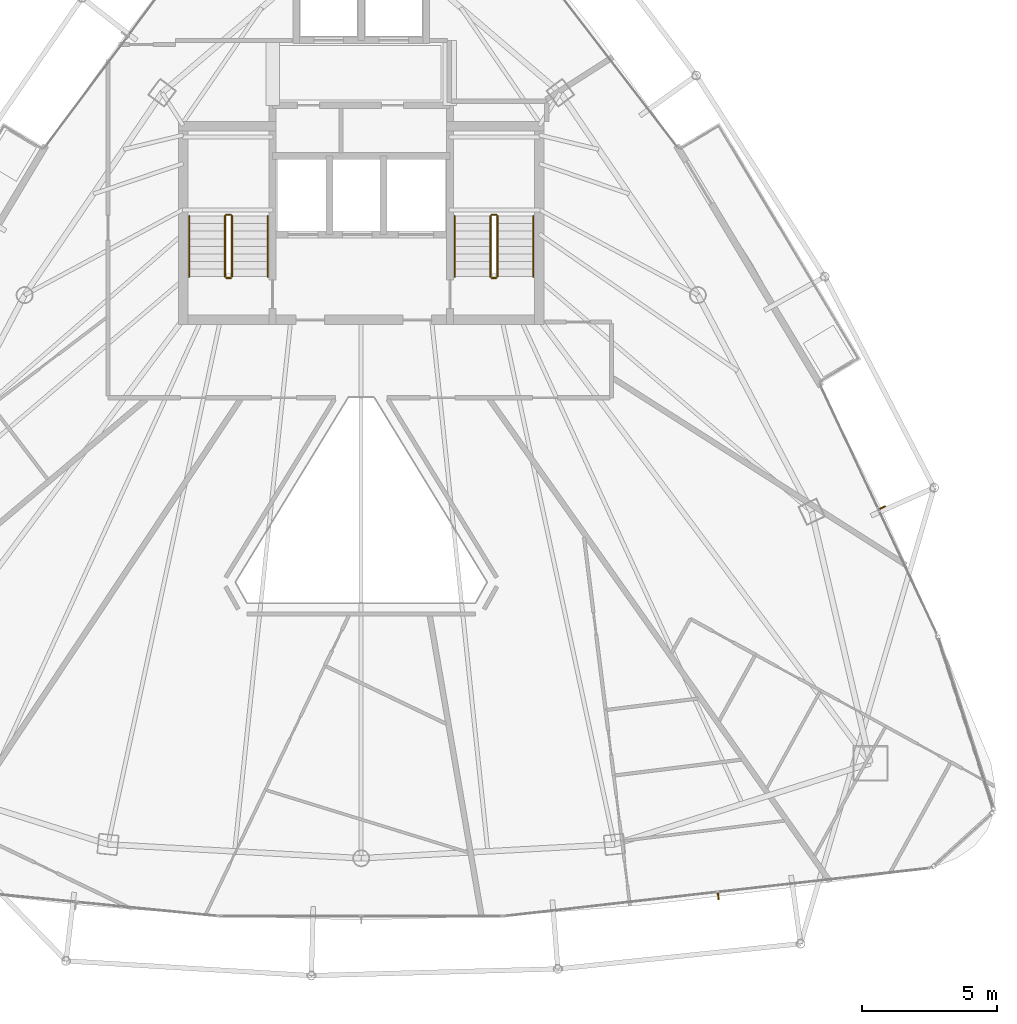
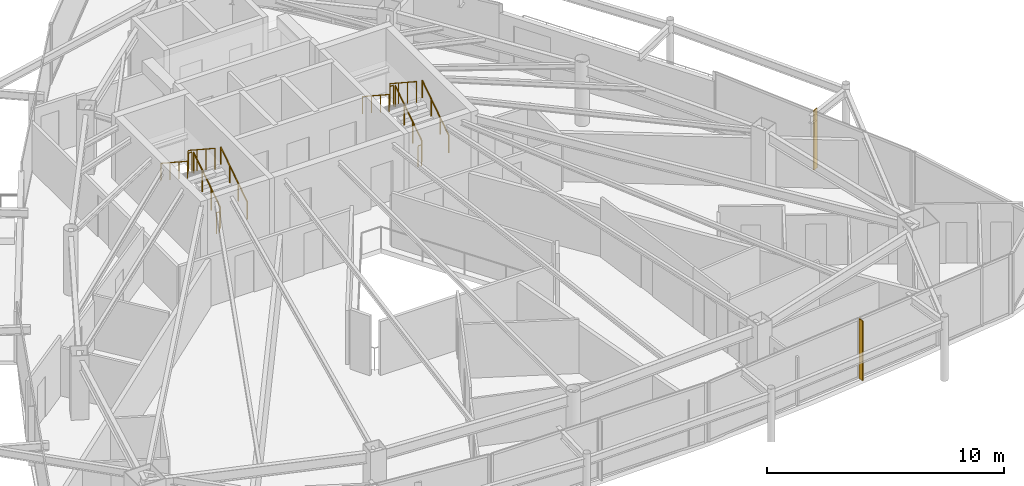
# One storey, part 32 of 33: 12 railings, 2 shading devices.
"""IFC4 building model written with IfcOpenShell, lengths in metres."""

from ifc_helpers import new_model, si_unit, direction, frame, origin, origin_2d, place, context, subcontext, project, spatial, rectangle, circle, extrude, material, layer, layer_set, type_object, element, save


model = new_model("IFC4")

# Units and contexts
model_context = context("Model", 3, precision=1e-05, world=origin(), true_north=direction((0.0, 1.0)))
body_context = subcontext(model_context, "Body", "Model", "MODEL_VIEW")
ifc_project = project(units=[si_unit("LENGTHUNIT", "METRE"), si_unit("AREAUNIT", "SQUARE_METRE"), si_unit("VOLUMEUNIT", "CUBIC_METRE"), si_unit("PLANEANGLEUNIT", "RADIAN"), si_unit("MASSUNIT", "GRAM", prefix="KILO")], contexts=[model_context])

# Site, building, storey
site_placement = place(None, origin())
site = spatial("IfcSite", under=ifc_project, at=site_placement, CompositionType="ELEMENT")
building_placement = place(site_placement, origin())
building = spatial("IfcBuilding", under=site, at=building_placement, Name="Orvanel Arch Residences", CompositionType="ELEMENT")
storey_placement = place(building_placement, frame((0.0, 0.0, 206.300048828125)))
storey = spatial("IfcBuildingStorey", under=building, at=storey_placement, Name="L58", CompositionType="ELEMENT", Elevation=206.300048828125)

# Shading devices
ifc_material_1 = material(Name="Bronze-anodised aluminium AA6063-T6", Category="aluminium")
ifc_layer = layer(ifc_material_1, 0.050048828125)
ifc_layer_set = layer_set([ifc_layer], Name="Bronze-anodised aluminium AA6063-T6")
shading_device_type = type_object("IfcShadingDeviceType", Name="FIN-BRZ-260", PredefinedType="USERDEFINED", material=ifc_layer_set)
for number, where, z_axis, x_axis, name in (
    (1, (46.18505859375, 5.444091796875, 0.0), (0.0, 0.0, 1.0), (0.111468932206, -0.993767919161, 0.0), "L58 Anodised Bronze Mullion FIN 01"),
    (2, (52.241943359375, 19.79296875, 0.0), (0.0, 0.0, 1.0), (0.905568799011, 0.424199422745, 0.0), "L58 Anodised Bronze Mullion FIN 01"),
):
    element("IfcShadingDevice", number, at=place(storey_placement, frame(where, z_axis=z_axis, x_axis=x_axis)), inside=storey, type_object=shading_device_type, Name=name, ObjectType="FIN", PredefinedType="USERDEFINED", context=body_context, shape_type="SweptSolid", body=[
        extrude(rectangle(XDim=0.260009765625, YDim=0.050048828125, at=origin_2d()), origin(), (0.0, 0.0, 1.0), 3.06005859375),
    ])

# Railings
ifc_material_2 = material(Name="Structural steel AS/NZS 1163 C350L0 (Grade 350)", Category="steel")
railing_type_1 = type_object("IfcRailingType", Name="RL-STAIR-GUARD", PredefinedType="GUARDRAIL", material=ifc_material_2)
railing_1_placement = place(storey_placement, frame((28.22998046875, 28.320068359375, 0.183349609375)))
element("IfcRailing", 3, at=railing_1_placement, inside=storey, type_object=railing_type_1, Name="L58 ST-1 stair guard 1", PredefinedType="GUARDRAIL", context=body_context, shape_type="SweptSolid", body=[
    extrude(circle(Radius=0.02392578125, at=origin_2d()), frame((0.0, 0.001220703125, 1.076904296875), z_axis=(0.0, 0.836636935527, 0.547757827979), x_axis=(-1.0, 0.0, 0.0)), (0.0, 0.0, 1.0), 2.67431640625),
    extrude(circle(Radius=0.02099609375, at=origin_2d()), origin(), (0.0, 0.0, 1.0), 1.050048828125),
    extrude(circle(Radius=0.02099609375, at=origin_2d()), frame((0.0, 0.74658203125, 0.48876953125)), (0.0, 0.0, 1.0), 1.050048828125),
    extrude(circle(Radius=0.02099609375, at=origin_2d()), frame((0.0, 1.493408203125, 0.977783203125)), (0.0, 0.0, 1.0), 1.050048828125),
    extrude(circle(Radius=0.02099609375, at=origin_2d()), frame((0.0, 2.239990234375, 1.466552734375)), (0.0, 0.0, 1.0), 1.050048828125),
])
railing_2_placement = place(storey_placement, frame((28.179931640625, 30.610107421875, 1.64990234375)))
element("IfcRailing", 4, at=railing_2_placement, inside=storey, type_object=railing_type_1, Name="L58 ST-1 stair guard 2", PredefinedType="GUARDRAIL", context=body_context, shape_type="SweptSolid", body=[
    extrude(circle(Radius=0.02392578125, at=origin_2d()), frame((-0.00146484375, 0.0, 1.076171875), z_axis=(-1.0, 0.0, 0.0), x_axis=(0.0, -1.0, 0.0)), (0.0, 0.0, 1.0), 0.156982421875),
    extrude(circle(Radius=0.02099609375, at=origin_2d()), origin(), (0.0, 0.0, 1.0), 1.050048828125),
    extrude(circle(Radius=0.02099609375, at=origin_2d()), frame((-0.159912109375, 0.0, 0.0)), (0.0, 0.0, 1.0), 1.050048828125),
])
railing_3_placement = place(storey_placement, frame((27.969970703125, 30.56005859375, 1.833251953125)))
element("IfcRailing", 5, at=railing_3_placement, inside=storey, type_object=railing_type_1, Name="L58 ST-1 stair guard 3", PredefinedType="GUARDRAIL", context=body_context, shape_type="SweptSolid", body=[
    extrude(circle(Radius=0.02392578125, at=origin_2d()), frame((0.0, -0.001220703125, 1.076904296875), z_axis=(0.0, -0.836595146698, 0.547821650285), x_axis=(1.0, 0.0, 0.0)), (0.0, 0.0, 1.0), 2.674560546875),
    extrude(circle(Radius=0.02099609375, at=origin_2d()), origin(), (0.0, 0.0, 1.0), 1.050048828125),
    extrude(circle(Radius=0.02099609375, at=origin_2d()), frame((0.0, -0.74658203125, 0.489013671875)), (0.0, 0.0, 1.0), 1.050048828125),
    extrude(circle(Radius=0.02099609375, at=origin_2d()), frame((0.0, -1.493408203125, 0.977783203125)), (0.0, 0.0, 1.0), 1.050048828125),
    extrude(circle(Radius=0.02099609375, at=origin_2d()), frame((0.0, -2.239990234375, 1.466796875)), (0.0, 0.0, 1.0), 1.050048828125),
])
railing_4_placement = place(storey_placement, frame((28.179931640625, 28.27001953125, 0.0)))
element("IfcRailing", 6, at=railing_4_placement, inside=storey, type_object=railing_type_1, Name="L58 ST-1 stair guard 4", PredefinedType="GUARDRAIL", context=body_context, shape_type="SweptSolid", body=[
    extrude(circle(Radius=0.02392578125, at=origin_2d()), frame((-0.00146484375, 0.0, 1.076171875), z_axis=(-1.0, 0.0, 0.0), x_axis=(0.0, -1.0, 0.0)), (0.0, 0.0, 1.0), 0.156982421875),
    extrude(circle(Radius=0.02099609375, at=origin_2d()), origin(), (0.0, 0.0, 1.0), 1.050048828125),
    extrude(circle(Radius=0.02099609375, at=origin_2d()), frame((-0.159912109375, 0.0, 0.0)), (0.0, 0.0, 1.0), 1.050048828125),
])
railing_5_placement = place(storey_placement, frame((38.030029296875, 28.320068359375, 0.183349609375)))
element("IfcRailing", 7, at=railing_5_placement, inside=storey, type_object=railing_type_1, Name="L58 ST-2 stair guard 1", PredefinedType="GUARDRAIL", context=body_context, shape_type="SweptSolid", body=[
    extrude(circle(Radius=0.02392578125, at=origin_2d()), frame((0.0, 0.001220703125, 1.076904296875), z_axis=(0.0, 0.836636935527, 0.547757827979), x_axis=(-1.0, 0.0, 0.0)), (0.0, 0.0, 1.0), 2.67431640625),
    extrude(circle(Radius=0.02099609375, at=origin_2d()), origin(), (0.0, 0.0, 1.0), 1.050048828125),
    extrude(circle(Radius=0.02099609375, at=origin_2d()), frame((0.0, 0.74658203125, 0.48876953125)), (0.0, 0.0, 1.0), 1.050048828125),
    extrude(circle(Radius=0.02099609375, at=origin_2d()), frame((0.0, 1.493408203125, 0.977783203125)), (0.0, 0.0, 1.0), 1.050048828125),
    extrude(circle(Radius=0.02099609375, at=origin_2d()), frame((0.0, 2.239990234375, 1.466552734375)), (0.0, 0.0, 1.0), 1.050048828125),
])
railing_6_placement = place(storey_placement, frame((37.97998046875, 30.610107421875, 1.64990234375)))
element("IfcRailing", 8, at=railing_6_placement, inside=storey, type_object=railing_type_1, Name="L58 ST-2 stair guard 2", PredefinedType="GUARDRAIL", context=body_context, shape_type="SweptSolid", body=[
    extrude(circle(Radius=0.02392578125, at=origin_2d()), frame((-0.00146484375, 0.0, 1.076171875), z_axis=(-1.0, 0.0, 0.0), x_axis=(0.0, -1.0, 0.0)), (0.0, 0.0, 1.0), 0.156982421875),
    extrude(circle(Radius=0.02099609375, at=origin_2d()), origin(), (0.0, 0.0, 1.0), 1.050048828125),
    extrude(circle(Radius=0.02099609375, at=origin_2d()), frame((-0.159912109375, 0.0, 0.0)), (0.0, 0.0, 1.0), 1.050048828125),
])
railing_7_placement = place(storey_placement, frame((37.77001953125, 30.56005859375, 1.833251953125)))
element("IfcRailing", 9, at=railing_7_placement, inside=storey, type_object=railing_type_1, Name="L58 ST-2 stair guard 3", PredefinedType="GUARDRAIL", context=body_context, shape_type="SweptSolid", body=[
    extrude(circle(Radius=0.02392578125, at=origin_2d()), frame((0.0, -0.001220703125, 1.076904296875), z_axis=(0.0, -0.836595146698, 0.547821650285), x_axis=(1.0, 0.0, 0.0)), (0.0, 0.0, 1.0), 2.674560546875),
    extrude(circle(Radius=0.02099609375, at=origin_2d()), origin(), (0.0, 0.0, 1.0), 1.050048828125),
    extrude(circle(Radius=0.02099609375, at=origin_2d()), frame((0.0, -0.74658203125, 0.489013671875)), (0.0, 0.0, 1.0), 1.050048828125),
    extrude(circle(Radius=0.02099609375, at=origin_2d()), frame((0.0, -1.493408203125, 0.977783203125)), (0.0, 0.0, 1.0), 1.050048828125),
    extrude(circle(Radius=0.02099609375, at=origin_2d()), frame((0.0, -2.239990234375, 1.466796875)), (0.0, 0.0, 1.0), 1.050048828125),
])
railing_8_placement = place(storey_placement, frame((37.97998046875, 28.27001953125, 0.0)))
element("IfcRailing", 10, at=railing_8_placement, inside=storey, type_object=railing_type_1, Name="L58 ST-2 stair guard 4", PredefinedType="GUARDRAIL", context=body_context, shape_type="SweptSolid", body=[
    extrude(circle(Radius=0.02392578125, at=origin_2d()), frame((-0.00146484375, 0.0, 1.076171875), z_axis=(-1.0, 0.0, 0.0), x_axis=(0.0, -1.0, 0.0)), (0.0, 0.0, 1.0), 0.156982421875),
    extrude(circle(Radius=0.02099609375, at=origin_2d()), origin(), (0.0, 0.0, 1.0), 1.050048828125),
    extrude(circle(Radius=0.02099609375, at=origin_2d()), frame((-0.159912109375, 0.0, 0.0)), (0.0, 0.0, 1.0), 1.050048828125),
])
railing_type_2 = type_object("IfcRailingType", Name="RL-STAIR-HAND", PredefinedType="HANDRAIL", material=ifc_material_2)
railing_9_placement = place(storey_placement, frame((29.550048828125, 28.320068359375, 0.183349609375)))
element("IfcRailing", 11, at=railing_9_placement, inside=storey, type_object=railing_type_2, Name="L58 ST-1 stair handrail 1", PredefinedType="HANDRAIL", context=body_context, shape_type="SweptSolid", body=[
    extrude(circle(Radius=0.02392578125, at=origin_2d()), frame((0.0, 0.001220703125, 0.876708984375), z_axis=(0.0, 0.836636935527, 0.547757827979), x_axis=(-1.0, 0.0, 0.0)), (0.0, 0.0, 1.0), 2.67431640625),
    extrude(circle(Radius=0.02099609375, at=origin_2d()), origin(), (0.0, 0.0, 1.0), 0.849853515625),
    extrude(circle(Radius=0.02099609375, at=origin_2d()), frame((0.0, 0.74658203125, 0.48876953125)), (0.0, 0.0, 1.0), 0.849853515625),
    extrude(circle(Radius=0.02099609375, at=origin_2d()), frame((0.0, 1.493408203125, 0.977783203125)), (0.0, 0.0, 1.0), 0.849853515625),
    extrude(circle(Radius=0.02099609375, at=origin_2d()), frame((0.0, 2.239990234375, 1.466552734375)), (0.0, 0.0, 1.0), 0.849853515625),
])
railing_10_placement = place(storey_placement, frame((26.64990234375, 30.56005859375, 1.833251953125)))
element("IfcRailing", 12, at=railing_10_placement, inside=storey, type_object=railing_type_2, Name="L58 ST-1 stair handrail 2", PredefinedType="HANDRAIL", context=body_context, shape_type="SweptSolid", body=[
    extrude(circle(Radius=0.02392578125, at=origin_2d()), frame((0.0, -0.001220703125, 0.876708984375), z_axis=(0.0, -0.836595146698, 0.547821650285), x_axis=(1.0, 0.0, 0.0)), (0.0, 0.0, 1.0), 2.674560546875),
    extrude(circle(Radius=0.02099609375, at=origin_2d()), origin(), (0.0, 0.0, 1.0), 0.849853515625),
    extrude(circle(Radius=0.02099609375, at=origin_2d()), frame((0.0, -0.74658203125, 0.489013671875)), (0.0, 0.0, 1.0), 0.849853515625),
    extrude(circle(Radius=0.02099609375, at=origin_2d()), frame((0.0, -1.493408203125, 0.977783203125)), (0.0, 0.0, 1.0), 0.849853515625),
    extrude(circle(Radius=0.02099609375, at=origin_2d()), frame((0.0, -2.239990234375, 1.466796875)), (0.0, 0.0, 1.0), 0.849853515625),
])
railing_11_placement = place(storey_placement, frame((39.35009765625, 28.320068359375, 0.183349609375)))
element("IfcRailing", 13, at=railing_11_placement, inside=storey, type_object=railing_type_2, Name="L58 ST-2 stair handrail 1", PredefinedType="HANDRAIL", context=body_context, shape_type="SweptSolid", body=[
    extrude(circle(Radius=0.02392578125, at=origin_2d()), frame((0.0, 0.001220703125, 0.876708984375), z_axis=(0.0, 0.836636935527, 0.547757827979), x_axis=(-1.0, 0.0, 0.0)), (0.0, 0.0, 1.0), 2.67431640625),
    extrude(circle(Radius=0.02099609375, at=origin_2d()), origin(), (0.0, 0.0, 1.0), 0.849853515625),
    extrude(circle(Radius=0.02099609375, at=origin_2d()), frame((0.0, 0.74658203125, 0.48876953125)), (0.0, 0.0, 1.0), 0.849853515625),
    extrude(circle(Radius=0.02099609375, at=origin_2d()), frame((0.0, 1.493408203125, 0.977783203125)), (0.0, 0.0, 1.0), 0.849853515625),
    extrude(circle(Radius=0.02099609375, at=origin_2d()), frame((0.0, 2.239990234375, 1.466552734375)), (0.0, 0.0, 1.0), 0.849853515625),
])
railing_12_placement = place(storey_placement, frame((36.449951171875, 30.56005859375, 1.833251953125)))
element("IfcRailing", 14, at=railing_12_placement, inside=storey, type_object=railing_type_2, Name="L58 ST-2 stair handrail 2", PredefinedType="HANDRAIL", context=body_context, shape_type="SweptSolid", body=[
    extrude(circle(Radius=0.02392578125, at=origin_2d()), frame((0.0, -0.001220703125, 0.876708984375), z_axis=(0.0, -0.836595146698, 0.547821650285), x_axis=(1.0, 0.0, 0.0)), (0.0, 0.0, 1.0), 2.674560546875),
    extrude(circle(Radius=0.02099609375, at=origin_2d()), origin(), (0.0, 0.0, 1.0), 0.849853515625),
    extrude(circle(Radius=0.02099609375, at=origin_2d()), frame((0.0, -0.74658203125, 0.489013671875)), (0.0, 0.0, 1.0), 0.849853515625),
    extrude(circle(Radius=0.02099609375, at=origin_2d()), frame((0.0, -1.493408203125, 0.977783203125)), (0.0, 0.0, 1.0), 0.849853515625),
    extrude(circle(Radius=0.02099609375, at=origin_2d()), frame((0.0, -2.239990234375, 1.466796875)), (0.0, 0.0, 1.0), 0.849853515625),
])

save(model, "model.ifc")
